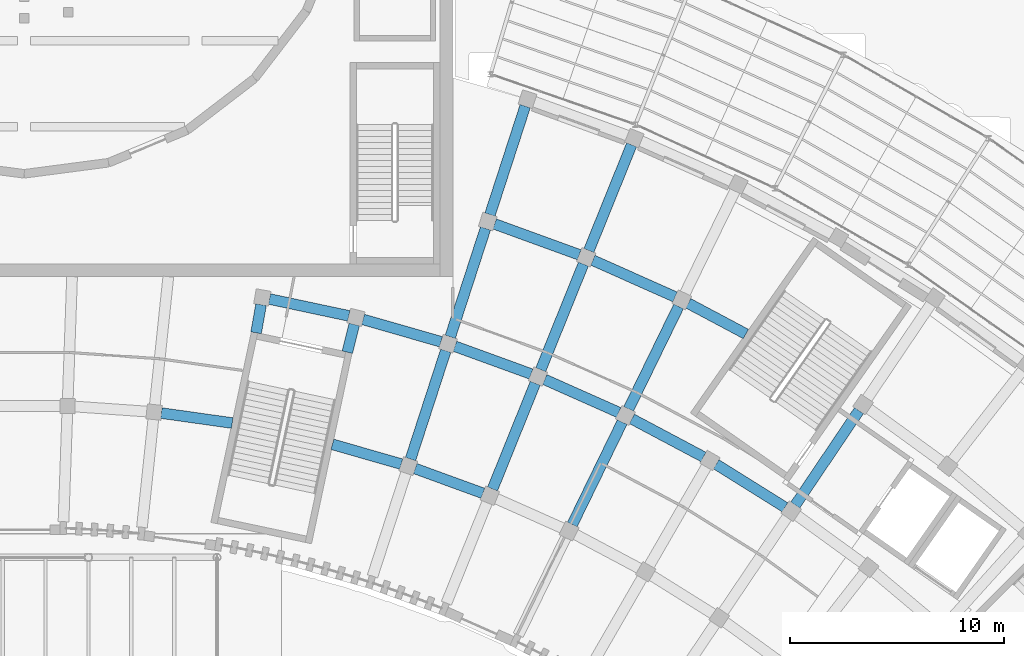
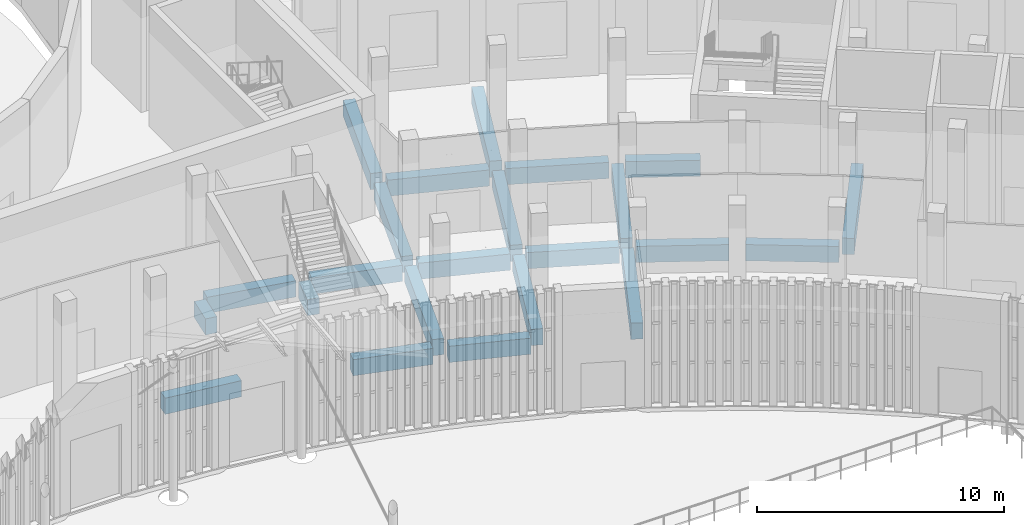
# One storey, part 34 of 155: 23 beams.
"""IFC4 building model written with IfcOpenShell, lengths in metres."""

from ifc_helpers import new_model, si_unit, direction, frame, origin, origin_2d, place, context, subcontext, project, spatial, rectangle, extrude, material, material_profile, profile_set, type_object, element, save


model = new_model("IFC4")

# Units and contexts
model_context = context("Model", 3, precision=1e-05, world=origin(), true_north=direction((0.0, 1.0)))
body_context = subcontext(model_context, "Body", "Model", "MODEL_VIEW")
ifc_project = project(units=[si_unit("LENGTHUNIT", "METRE"), si_unit("AREAUNIT", "SQUARE_METRE"), si_unit("VOLUMEUNIT", "CUBIC_METRE"), si_unit("PLANEANGLEUNIT", "RADIAN"), si_unit("MASSUNIT", "GRAM", prefix="KILO")], contexts=[model_context])

# Site, building, storey
site_placement = place(None, origin())
site = spatial("IfcSite", under=ifc_project, at=site_placement, CompositionType="ELEMENT")
building_placement = place(site_placement, origin())
building = spatial("IfcBuilding", under=site, at=building_placement, Name="Lunette Opera House", CompositionType="ELEMENT")
storey_placement = place(building_placement, origin())
storey = spatial("IfcBuildingStorey", under=building, at=storey_placement, Name="L00", CompositionType="ELEMENT", Elevation=0.0)

# Beams
ifc_material = material(Name="Concrete C35/45", Category="concrete")
ifc_material_profile = material_profile(ifc_material, rectangle(XDim=0.5, YDim=0.800048828125, at=origin_2d()), Name="RC BEAM 500X800")
ifc_profile_set = profile_set([ifc_material_profile], Name="Concrete C35/45")
beam_type = type_object("IfcBeamType", Name="RC BEAM 500X800", PredefinedType="BEAM", material=ifc_profile_set)
beam_1_placement = place(storey_placement, frame((106.822998046875, 61.381103515625, -0.6201171875), z_axis=(0.173367133404, 0.984857267352, 0.0), x_axis=(-0.984857267352, 0.173367133404, 0.0)))
element("IfcBeam", 1, at=beam_1_placement, inside=storey, type_object=beam_type, Name="beam-FC-L00-L00-RB-RL-16-2", PredefinedType="BEAM", context=body_context, shape_type="SweptSolid", body=[
    extrude(rectangle(XDim=0.5, YDim=0.800048828125, at=origin_2d()), origin(), (0.0, 0.0, 1.0), 1.332275390625),
])
beam_2_placement = place(storey_placement, frame((111.0791015625, 60.47705078125, -0.6201171875), z_axis=(0.241672643646, 0.970357837766, 0.0), x_axis=(-0.970357837766, 0.241672643646, 0.0)))
element("IfcBeam", 2, at=beam_2_placement, inside=storey, type_object=beam_type, Name="beam-FC-L00-L00-RB-RL-17-2", PredefinedType="BEAM", context=body_context, shape_type="SweptSolid", body=[
    extrude(rectangle(XDim=0.5, YDim=0.800048828125, at=origin_2d()), origin(), (0.0, 0.0, 1.0), 1.33154296875),
])
beam_3_placement = place(storey_placement, frame((114.028076171875, 55.485107421875, -0.6201171875), z_axis=(0.309072580724, 0.951038453399, 0.0), x_axis=(-0.951038453399, 0.309072580724, 0.0)))
element("IfcBeam", 3, at=beam_3_placement, inside=storey, type_object=beam_type, Name="beam-FC-L00-L00-RB-RL-18-2", PredefinedType="BEAM", context=body_context, shape_type="SweptSolid", body=[
    extrude(rectangle(XDim=0.5, YDim=0.800048828125, at=origin_2d()), origin(), (0.0, 0.0, 1.0), 5.3193359375),
])
for number, where, z_axis, x_axis, name in (
    (4, (115.882080078125, 61.19091796875, -0.6201171875), (0.30896363271, 0.951073852896, 0.0), (-0.951073852896, 0.30896363271, 0.0), "beam-FC-L00-L00-RB-RL-18-3"),
    (5, (117.736083984375, 66.89697265625, -0.6201171875), (0.30896363271, 0.951073852896, 0.0), (-0.951073852896, 0.30896363271, 0.0), "beam-FC-L00-L00-RB-RL-18-4"),
):
    element("IfcBeam", number, at=place(storey_placement, frame(where, z_axis=z_axis, x_axis=x_axis)), inside=storey, type_object=beam_type, Name=name, PredefinedType="BEAM", context=body_context, shape_type="SweptSolid", body=[
        extrude(rectangle(XDim=0.5, YDim=0.800048828125, at=origin_2d()), origin(), (0.0, 0.0, 1.0), 5.3203125),
    ])
beam_4_placement = place(storey_placement, frame((117.85498046875, 54.092041015625, -0.6201171875), z_axis=(0.374434974163, 0.927253174771, 0.0), x_axis=(-0.927253174771, 0.374434974163, 0.0)))
element("IfcBeam", 6, at=beam_4_placement, inside=storey, type_object=beam_type, Name="beam-FC-L00-L00-RB-RL-19-2", PredefinedType="BEAM", context=body_context, shape_type="SweptSolid", body=[
    extrude(rectangle(XDim=0.5, YDim=0.800048828125, at=origin_2d()), origin(), (0.0, 0.0, 1.0), 5.31982421875),
])
for number, where, z_axis, x_axis, name in (
    (7, (120.10205078125, 59.655029296875, -0.6201171875), (0.374592790276, 0.927189431278, 0.0), (-0.927189431278, 0.374592790276, 0.0), "beam-FC-L00-L00-RB-RL-19-3"),
    (8, (122.35009765625, 65.218017578125, -0.6201171875), (0.374592790276, 0.927189431278, 0.0), (-0.927189431278, 0.374592790276, 0.0), "beam-FC-L00-L00-RB-RL-19-4"),
):
    element("IfcBeam", number, at=place(storey_placement, frame(where, z_axis=z_axis, x_axis=x_axis)), inside=storey, type_object=beam_type, Name=name, PredefinedType="BEAM", context=body_context, shape_type="SweptSolid", body=[
        extrude(rectangle(XDim=0.5, YDim=0.800048828125, at=origin_2d()), origin(), (0.0, 0.0, 1.0), 5.3203125),
    ])
beam_5_placement = place(storey_placement, frame((121.574951171875, 52.43603515625, -0.6201171875), z_axis=(0.438398312975, 0.898780795957, 0.0), x_axis=(-0.898780795957, 0.438398312975, 0.0)))
element("IfcBeam", 9, at=beam_5_placement, inside=storey, type_object=beam_type, Name="beam-FC-L00-L00-RB-RL-20-2", PredefinedType="BEAM", context=body_context, shape_type="SweptSolid", body=[
    extrude(rectangle(XDim=0.5, YDim=0.800048828125, at=origin_2d()), origin(), (0.0, 0.0, 1.0), 5.3193359375),
])
beam_6_placement = place(storey_placement, frame((124.205078125, 57.827880859375, -0.6201171875), z_axis=(0.438307908837, 0.898824886756, 0.0), x_axis=(-0.898824886756, 0.438307908837, 0.0)))
element("IfcBeam", 10, at=beam_6_placement, inside=storey, type_object=beam_type, Name="beam-FC-L00-L00-RB-RL-20-3", PredefinedType="BEAM", context=body_context, shape_type="SweptSolid", body=[
    extrude(rectangle(XDim=0.5, YDim=0.800048828125, at=origin_2d()), origin(), (0.0, 0.0, 1.0), 5.320556640625),
])
beam_7_placement = place(storey_placement, frame((131.97802734375, 53.340087890625, -0.6201171875), z_axis=(0.559150470636, 0.829066192284, 0.0), x_axis=(-0.829066192284, 0.559150470636, 0.0)))
element("IfcBeam", 11, at=beam_7_placement, inside=storey, type_object=beam_type, Name="beam-FC-L00-L00-RB-RL-22-3", PredefinedType="BEAM", context=body_context, shape_type="SweptSolid", body=[
    extrude(rectangle(XDim=0.5, YDim=0.800048828125, at=origin_2d()), origin(), (0.0, 0.0, 1.0), 5.3203125),
])
beam_8_placement = place(storey_placement, frame((102.39990234375, 57.635009765625, -0.6201171875), z_axis=(0.990261302267, -0.139221238437, 0.0), x_axis=(0.139221238437, 0.990261302267, 0.0)))
element("IfcBeam", 12, at=beam_8_placement, inside=storey, type_object=beam_type, Name="beam-FC-L00-L00-RG-AR-M1-RL-15", PredefinedType="BEAM", context=body_context, shape_type="SweptSolid", body=[
    extrude(rectangle(XDim=0.5, YDim=0.800048828125, at=origin_2d()), origin(), (0.0, 0.0, 1.0), 3.340576171875),
])
beam_9_placement = place(storey_placement, frame((110.384033203125, 56.176025390625, -0.6201171875), z_axis=(0.961250511112, -0.275676358956, 0.0), x_axis=(0.275676358956, 0.961250511112, 0.0)))
element("IfcBeam", 13, at=beam_9_placement, inside=storey, type_object=beam_type, Name="beam-FC-L00-L00-RG-AR-M1-RL-17", PredefinedType="BEAM", context=body_context, shape_type="SweptSolid", body=[
    extrude(rectangle(XDim=0.5, YDim=0.800048828125, at=origin_2d()), origin(), (0.0, 0.0, 1.0), 3.34130859375),
])
beam_10_placement = place(storey_placement, frame((114.242919921875, 55.044921875, -0.6201171875), z_axis=(0.939670579887, -0.342080694128, 0.0), x_axis=(0.342080694128, 0.939670579887, 0.0)))
element("IfcBeam", 14, at=beam_10_placement, inside=storey, type_object=beam_type, Name="beam-FC-L00-L00-RG-AR-M1-RL-18", PredefinedType="BEAM", context=body_context, shape_type="SweptSolid", body=[
    extrude(rectangle(XDim=0.5, YDim=0.800048828125, at=origin_2d()), origin(), (0.0, 0.0, 1.0), 3.3671875),
])
beam_11_placement = place(storey_placement, frame((107.446044921875, 62.95703125, -0.6201171875), z_axis=(0.978156720642, -0.207868780394, 0.0), x_axis=(0.207868780394, 0.978156720642, 0.0)))
element("IfcBeam", 15, at=beam_11_placement, inside=storey, type_object=beam_type, Name="beam-FC-L00-L00-RG-AR-B-RL-16", PredefinedType="BEAM", context=body_context, shape_type="SweptSolid", body=[
    extrude(rectangle(XDim=0.5, YDim=0.800048828125, at=origin_2d()), origin(), (0.0, 0.0, 1.0), 3.78662109375),
])
beam_12_placement = place(storey_placement, frame((111.81005859375, 62.0048828125, -0.6201171875), z_axis=(0.961314416765, -0.275453430037, 0.0), x_axis=(0.275453430037, 0.961314416765, 0.0)))
element("IfcBeam", 16, at=beam_12_placement, inside=storey, type_object=beam_type, Name="beam-FC-L00-L00-RG-AR-B-RL-17", PredefinedType="BEAM", context=body_context, shape_type="SweptSolid", body=[
    extrude(rectangle(XDim=0.5, YDim=0.800048828125, at=origin_2d()), origin(), (0.0, 0.0, 1.0), 3.786376953125),
])
for number, where, z_axis, x_axis, name in (
    (17, (116.096923828125, 60.751953125, -0.6201171875), (0.939620121597, -0.342219267561, 0.0), (0.342219267561, 0.939620121597, 0.0), "beam-FC-L00-L00-RG-AR-B-RL-18"),
    (18, (120.285888671875, 59.201904296875, -0.6201171875), (0.913460283837, -0.406927892694, 0.0), (0.406927892694, 0.913460283837, 0.0), "beam-FC-L00-L00-RG-AR-B-RL-19"),
    (19, (124.35595703125, 57.363037109375, -0.6201171875), (0.883049767383, -0.469279349988, 0.0), (0.469279349988, 0.883049767383, 0.0), "beam-FC-L00-L00-RG-AR-B-RL-20"),
):
    element("IfcBeam", number, at=place(storey_placement, frame(where, z_axis=z_axis, x_axis=x_axis)), inside=storey, type_object=beam_type, Name=name, PredefinedType="BEAM", context=body_context, shape_type="SweptSolid", body=[
        extrude(rectangle(XDim=0.5, YDim=0.800048828125, at=origin_2d()), origin(), (0.0, 0.0, 1.0), 3.786865234375),
    ])
beam_13_placement = place(storey_placement, frame((128.2880859375, 55.24609375, -0.6201171875), z_axis=(0.847925878507, -0.530114803187, 0.0), x_axis=(0.530114803187, 0.847925878507, 0.0)))
element("IfcBeam", 20, at=beam_13_placement, inside=storey, type_object=beam_type, Name="beam-FC-L00-L00-RG-AR-B-RL-21", PredefinedType="BEAM", context=body_context, shape_type="SweptSolid", body=[
    extrude(rectangle(XDim=0.5, YDim=0.800048828125, at=origin_2d()), origin(), (0.0, 0.0, 1.0), 3.7880859375),
])
beam_14_placement = place(storey_placement, frame((117.950927734375, 66.4580078125, -0.6201171875), z_axis=(0.939627187369, -0.34219986668, 0.0), x_axis=(0.34219986668, 0.939627187369, 0.0)))
element("IfcBeam", 21, at=beam_14_placement, inside=storey, type_object=beam_type, Name="beam-FC-L00-L00-RG-AR-M2-RL-18", PredefinedType="BEAM", context=body_context, shape_type="SweptSolid", body=[
    extrude(rectangle(XDim=0.5, YDim=0.800048828125, at=origin_2d()), origin(), (0.0, 0.0, 1.0), 4.205078125),
])
beam_15_placement = place(storey_placement, frame((122.532958984375, 64.764892578125, -0.6201171875), z_axis=(0.913514477547, -0.40680621838, 0.0), x_axis=(0.40680621838, 0.913514477547, 0.0)))
element("IfcBeam", 22, at=beam_15_placement, inside=storey, type_object=beam_type, Name="beam-FC-L00-L00-RG-AR-M2-RL-19", PredefinedType="BEAM", context=body_context, shape_type="SweptSolid", body=[
    extrude(rectangle(XDim=0.5, YDim=0.800048828125, at=origin_2d()), origin(), (0.0, 0.0, 1.0), 4.205810546875),
])
beam_16_placement = place(storey_placement, frame((126.986083984375, 62.756103515625, -0.6201171875), z_axis=(0.882889359825, -0.469581066811, 0.0), x_axis=(0.469581066811, 0.882889359825, 0.0)))
element("IfcBeam", 23, at=beam_16_placement, inside=storey, type_object=beam_type, Name="beam-FC-L00-L00-RG-AR-M2-RL-20", PredefinedType="BEAM", context=body_context, shape_type="SweptSolid", body=[
    extrude(rectangle(XDim=0.5, YDim=0.800048828125, at=origin_2d()), origin(), (0.0, 0.0, 1.0), 3.045654296875),
])

save(model, "model.ifc")
